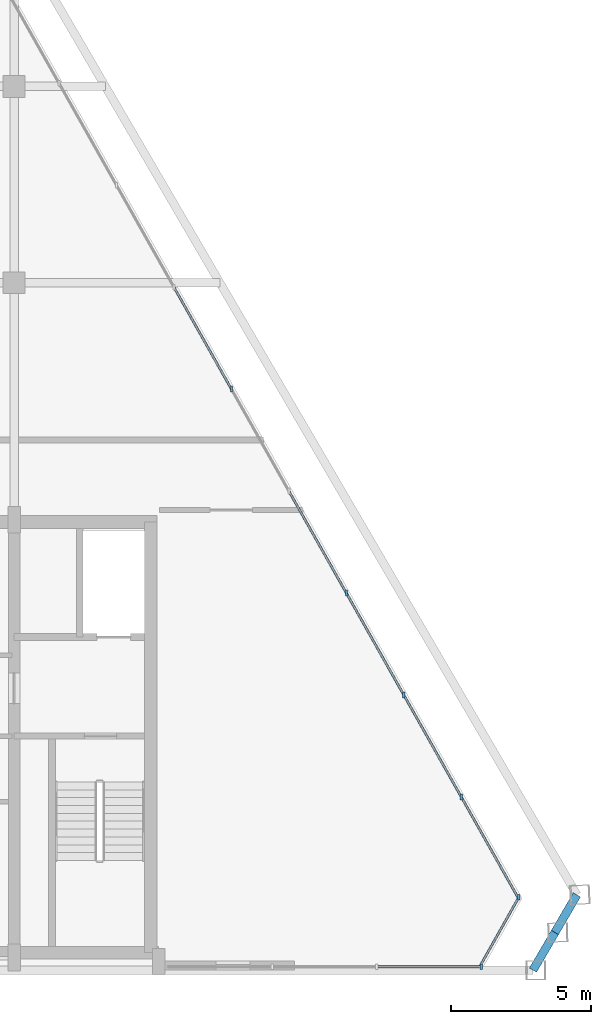
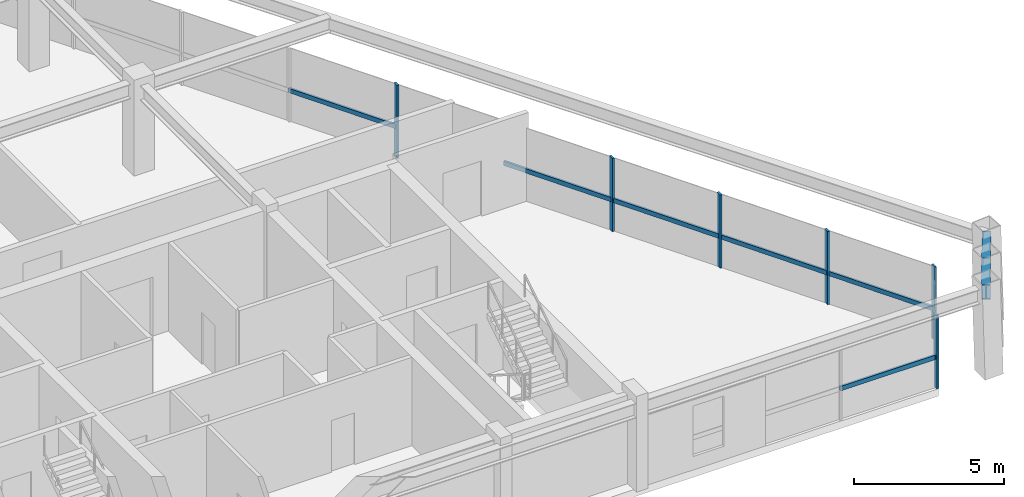
# One storey, part 6 of 12: 13 members, 2 beams, 3 elements without a shape of their own.
"""IFC4 building model written with IfcOpenShell, lengths in metres."""

from ifc_helpers import new_model, si_unit, direction, frame, origin, origin_2d, place, context, subcontext, project, spatial, rectangle, i_section, extrude, source, transform, mapped, material, material_profile, profile_set, type_object, type_shapes, element, aggregate, save


model = new_model("IFC4")

# Units and contexts
model_context = context("Model", 3, precision=1e-05, world=origin(), true_north=direction((0.0, 1.0)))
body_context = subcontext(model_context, "Body", "Model", "MODEL_VIEW")
ifc_project = project(units=[si_unit("LENGTHUNIT", "METRE"), si_unit("AREAUNIT", "SQUARE_METRE"), si_unit("VOLUMEUNIT", "CUBIC_METRE"), si_unit("PLANEANGLEUNIT", "RADIAN"), si_unit("MASSUNIT", "GRAM", prefix="KILO")], contexts=[model_context])

# Site, building, storey
site_placement = place(None, origin())
site = spatial("IfcSite", under=ifc_project, at=site_placement, CompositionType="ELEMENT")
building_placement = place(site_placement, origin())
building = spatial("IfcBuilding", under=site, at=building_placement, Name="Varnakhor Terracotta Tower", CompositionType="ELEMENT")
storey_placement = place(building_placement, frame((0.0, 0.0, 321.39990234375)))
storey = spatial("IfcBuildingStorey", under=building, at=storey_placement, Name="L84 Crown", CompositionType="ELEMENT", Elevation=321.39990234375)

# Beams
ifc_material_1 = material(Name="Steel S355", Category="steel")
ifc_material_profile_1 = material_profile(ifc_material_1, i_section(OverallWidth=0.300048828125, OverallDepth=0.60009765625, WebThickness=0.015380859375, FlangeThickness=0.030029296875, FilletRadius=0.01806640625, at=origin_2d()), Name="HEB600")
ifc_profile_set_1 = profile_set([ifc_material_profile_1], Name="Steel S355")
beam_type = type_object("IfcBeamType", Name="BM-HEB600", PredefinedType="BEAM", material=ifc_profile_set_1)
shared_shape_1 = source(origin(), body_context, "Body", "SweptSolid", [
    extrude(i_section(OverallWidth=0.300048828125, OverallDepth=0.60009765625, WebThickness=0.015380859375, FlangeThickness=0.030029296875, FilletRadius=0.01806640625, at=origin_2d()), origin(), (0.0, 0.0, 1.0), 1.55419921875),
])
beam_1_placement = place(storey_placement, frame((23.99072265625, 0.0, 3.300048828125), z_axis=(0.503900324415, 0.863761809213, 0.0), x_axis=(-0.863761809213, 0.503900324415, 0.0)))
element("IfcBeam", 1, at=beam_1_placement, inside=storey, type_object=beam_type, Name="L84 Crown Perimeter Spandrel 2", PredefinedType="BEAM", context=body_context, shape_type="MappedRepresentation", body=[
    mapped(shared_shape_1, transform((0.0, 0.0, 0.0), scale=1.0)),
])
shared_shape_2 = source(origin(), body_context, "Body", "SweptSolid", [
    extrude(i_section(OverallWidth=0.300048828125, OverallDepth=0.60009765625, WebThickness=0.015380859375, FlangeThickness=0.030029296875, FilletRadius=0.01806640625, at=origin_2d()), origin(), (0.0, 0.0, 1.0), 1.554443359375),
])
beam_2_placement = place(storey_placement, frame((24.77392578125, 1.342529296875, 3.300048828125), z_axis=(0.503831964735, 0.863801685175, 0.0), x_axis=(-0.863801685175, 0.503831964735, 0.0)))
element("IfcBeam", 2, at=beam_2_placement, inside=storey, type_object=beam_type, Name="L84 Crown Perimeter Spandrel 3", PredefinedType="BEAM", context=body_context, shape_type="MappedRepresentation", body=[
    mapped(shared_shape_2, transform((0.0, 0.0, 0.0), scale=1.0)),
])

# Curtain wall, members
ifc_material_2 = material(Name="Anodised Aluminium Curtain Wall System", Category="aluminium")
curtain_wall_type = type_object("IfcCurtainWallType", Name="CW-SYS-CROWN", PredefinedType="NOTDEFINED", material=ifc_material_2)
curtain_wall_1_placement = place(storey_placement, origin())
curtain_wall_1 = element("IfcCurtainWall", 3, at=curtain_wall_1_placement, inside=storey, type_object=curtain_wall_type, Name="L84 Crown Facet Curtain Wall 3", PredefinedType="NOTDEFINED")
ifc_material_3 = material(Name="Anodised Aluminium 6063-T6", Category="aluminium")
ifc_material_profile_2 = material_profile(ifc_material_3, rectangle(XDim=0.080078125, YDim=0.205078125, at=origin_2d()), Name="ALU MULLION 80x205")
ifc_profile_set_2 = profile_set([ifc_material_profile_2], Name="Anodised Aluminium 6063-T6")
member_type_1 = type_object("IfcMemberType", Name="CWM-06", PredefinedType="MULLION", material=ifc_profile_set_2)
shared_shape_3 = source(origin(), body_context, "Body", "SweptSolid", [
    extrude(rectangle(XDim=0.080078125, YDim=0.205078125, at=origin_2d()), origin(), (0.0, 0.0, 1.0), 2.97998046875),
])
type_shapes(member_type_1, [shared_shape_3])
member_1_placement = place(storey_placement, frame((13.243408203125, 20.709716796875, 0.0), z_axis=(0.0, 0.0, 1.0), x_axis=(1.0, 0.0, 0.0)))
member_1 = element("IfcMember", 4, at=member_1_placement, type_object=member_type_1, Name="L84 Crown Facet Curtain Wall 3 Mullion 7", PredefinedType="MULLION", context=body_context, shape_type="MappedRepresentation", body=[
    mapped(shared_shape_3, transform((0.0, 0.0, 0.0), scale=1.0)),
])
member_2_placement = place(storey_placement, frame((17.34130859375, 13.439453125, 0.0), z_axis=(0.0, 0.0, 1.0), x_axis=(1.0, 0.0, 0.0)))
member_2 = element("IfcMember", 5, at=member_2_placement, type_object=member_type_1, Name="L84 Crown Facet Curtain Wall 3 Mullion 9", PredefinedType="MULLION", context=body_context, shape_type="MappedRepresentation", body=[
    mapped(shared_shape_3, transform((0.0, 0.0, 0.0), scale=1.0)),
])
member_3_placement = place(storey_placement, frame((19.39013671875, 9.804443359375, 0.0), z_axis=(0.0, 0.0, 1.0), x_axis=(1.0, 0.0, 0.0)))
member_3 = element("IfcMember", 6, at=member_3_placement, type_object=member_type_1, Name="L84 Crown Facet Curtain Wall 3 Mullion 10", PredefinedType="MULLION", context=body_context, shape_type="MappedRepresentation", body=[
    mapped(shared_shape_3, transform((0.0, 0.0, 0.0), scale=1.0)),
])
member_4_placement = place(storey_placement, frame((21.43896484375, 6.169189453125, 0.0), z_axis=(0.0, 0.0, 1.0), x_axis=(1.0, 0.0, 0.0)))
member_4 = element("IfcMember", 7, at=member_4_placement, type_object=member_type_1, Name="L84 Crown Facet Curtain Wall 3 Mullion 11", PredefinedType="MULLION", context=body_context, shape_type="MappedRepresentation", body=[
    mapped(shared_shape_3, transform((0.0, 0.0, 0.0), scale=1.0)),
])

# Curtain wall, member
curtain_wall_2_placement = place(storey_placement, origin())
curtain_wall_2 = element("IfcCurtainWall", 8, at=curtain_wall_2_placement, inside=storey, type_object=curtain_wall_type, Name="L84 Crown Facet Curtain Wall 4", PredefinedType="NOTDEFINED")
member_5_placement = place(storey_placement, frame((23.48779296875, 2.599853515625, 0.0), z_axis=(0.0, 0.0, 1.0), x_axis=(1.0, 0.0, 0.0)))
member_5 = element("IfcMember", 9, at=member_5_placement, type_object=member_type_1, Name="L84 Crown Facet Curtain Wall 4 Mullion 1", PredefinedType="MULLION", context=body_context, shape_type="MappedRepresentation", body=[
    mapped(shared_shape_3, transform((0.0, 0.0, 0.0), scale=1.0)),
])

curtain_wall_3_placement = place(storey_placement, origin())
curtain_wall_3 = element("IfcCurtainWall", 10, at=curtain_wall_3_placement, inside=storey, type_object=curtain_wall_type, Name="L84 Crown South Wing Curtain Wall SSE", PredefinedType="NOTDEFINED")
member_6_placement = place(storey_placement, frame((22.150390625, 0.1201171875, 0.0), z_axis=(0.0, 0.0, 1.0), x_axis=(1.0, 0.0, 0.0)))
member_6 = element("IfcMember", 11, at=member_6_placement, type_object=member_type_1, Name="L84 Crown South Wing Curtain Wall SSE Mullion 1", PredefinedType="MULLION", context=body_context, shape_type="MappedRepresentation", body=[
    mapped(shared_shape_3, transform((0.0, 0.0, 0.0), scale=1.0)),
])

# Member
ifc_material_profile_3 = material_profile(ifc_material_3, rectangle(XDim=0.080078125, YDim=0.179931640625, at=origin_2d()), Name="ALU TRANSOM 80x180")
ifc_profile_set_3 = profile_set([ifc_material_profile_3], Name="Anodised Aluminium 6063-T6")
member_type_2 = type_object("IfcMemberType", Name="CWT-06", PredefinedType="USERDEFINED", material=ifc_profile_set_3)
shared_shape_4 = source(origin(), body_context, "Body", "SweptSolid", [
    extrude(rectangle(XDim=0.080078125, YDim=0.179931640625, at=origin_2d()), origin(), (0.0, 0.0, 1.0), 4.172607421875),
])
member_7_placement = place(storey_placement, frame((11.194580078125, 24.3447265625, 1.251708984375), z_axis=(0.491013870704, -0.87115175416, 0.0), x_axis=(0.87115175416, 0.491013870704, 0.0)))
member_7 = element("IfcMember", 12, at=member_7_placement, type_object=member_type_2, Name="L84 Crown Facet Curtain Wall 3 Transom 6", ObjectType="TRANSOM", PredefinedType="USERDEFINED", context=body_context, shape_type="MappedRepresentation", body=[
    mapped(shared_shape_4, transform((0.0, 0.0, 0.0), scale=1.0)),
])

member_8_placement = place(storey_placement, frame((17.34130859375, 13.439453125, 1.251708984375), z_axis=(0.491013870704, -0.87115175416, 0.0), x_axis=(0.87115175416, 0.491013870704, 0.0)))
member_8 = element("IfcMember", 13, at=member_8_placement, type_object=member_type_2, Name="L84 Crown Facet Curtain Wall 3 Transom 9", ObjectType="TRANSOM", PredefinedType="USERDEFINED", context=body_context, shape_type="MappedRepresentation", body=[
    mapped(shared_shape_4, transform((0.0, 0.0, 0.0), scale=1.0)),
])

member_9_placement = place(storey_placement, frame((21.43896484375, 6.169189453125, 1.251708984375), z_axis=(0.491013870704, -0.87115175416, 0.0), x_axis=(0.87115175416, 0.491013870704, 0.0)))
member_9 = element("IfcMember", 14, at=member_9_placement, type_object=member_type_2, Name="L84 Crown Facet Curtain Wall 3 Transom 11", ObjectType="TRANSOM", PredefinedType="USERDEFINED", context=body_context, shape_type="MappedRepresentation", body=[
    mapped(shared_shape_4, transform((0.0, 0.0, 0.0), scale=1.0)),
])

shared_shape_5 = source(origin(), body_context, "Body", "SweptSolid", [
    extrude(rectangle(XDim=0.080078125, YDim=0.179931640625, at=origin_2d()), origin(), (0.0, 0.0, 1.0), 4.1728515625),
])
member_10_placement = place(storey_placement, frame((15.292236328125, 17.074462890625, 1.251708984375), z_axis=(0.491058272159, -0.87112672634, 0.0), x_axis=(0.87112672634, 0.491058272159, 0.0)))
member_10 = element("IfcMember", 15, at=member_10_placement, type_object=member_type_2, Name="L84 Crown Facet Curtain Wall 3 Transom 8", ObjectType="TRANSOM", PredefinedType="USERDEFINED", context=body_context, shape_type="MappedRepresentation", body=[
    mapped(shared_shape_5, transform((0.0, 0.0, 0.0), scale=1.0)),
])

member_11_placement = place(storey_placement, frame((19.39013671875, 9.804443359375, 1.251708984375), z_axis=(0.49098884437, -0.871165859469, 0.0), x_axis=(0.871165859469, 0.49098884437, 0.0)))
member_11 = element("IfcMember", 16, at=member_11_placement, type_object=member_type_2, Name="L84 Crown Facet Curtain Wall 3 Transom 10", ObjectType="TRANSOM", PredefinedType="USERDEFINED", context=body_context, shape_type="MappedRepresentation", body=[
    mapped(shared_shape_5, transform((0.0, 0.0, 0.0), scale=1.0)),
])

aggregate(curtain_wall_1, [member_7, member_1, member_10, member_2, member_8, member_3, member_11, member_4, member_9])

shared_shape_6 = source(origin(), body_context, "Body", "SweptSolid", [
    extrude(rectangle(XDim=0.080078125, YDim=0.179931640625, at=origin_2d()), origin(), (0.0, 0.0, 1.0), 2.886474609375),
])
member_12_placement = place(storey_placement, frame((23.48779296875, 2.599853515625, 1.251708984375), z_axis=(-0.49098388678, -0.871168653547, 0.0), x_axis=(0.871168653547, -0.49098388678, 0.0)))
member_12 = element("IfcMember", 17, at=member_12_placement, type_object=member_type_2, Name="L84 Crown Facet Curtain Wall 4 Transom 1", ObjectType="TRANSOM", PredefinedType="USERDEFINED", context=body_context, shape_type="MappedRepresentation", body=[
    mapped(shared_shape_6, transform((0.0, 0.0, 0.0), scale=1.0)),
])

aggregate(curtain_wall_2, [member_5, member_12])

shared_shape_7 = source(origin(), body_context, "Body", "SweptSolid", [
    extrude(rectangle(XDim=0.080078125, YDim=0.179931640625, at=origin_2d()), origin(), (0.0, 0.0, 1.0), 3.726806640625),
])
member_13_placement = place(storey_placement, frame((22.150390625, 0.1201171875, 1.251708984375), z_axis=(-1.0, 0.0, 0.0), x_axis=(0.0, -1.0, 0.0)))
member_13 = element("IfcMember", 18, at=member_13_placement, type_object=member_type_2, Name="L84 Crown South Wing Curtain Wall SSE Transom 1", ObjectType="TRANSOM", PredefinedType="USERDEFINED", context=body_context, shape_type="MappedRepresentation", body=[
    mapped(shared_shape_7, transform((0.0, 0.0, 0.0), scale=1.0)),
])

aggregate(curtain_wall_3, [member_6, member_13])

save(model, "model.ifc")
